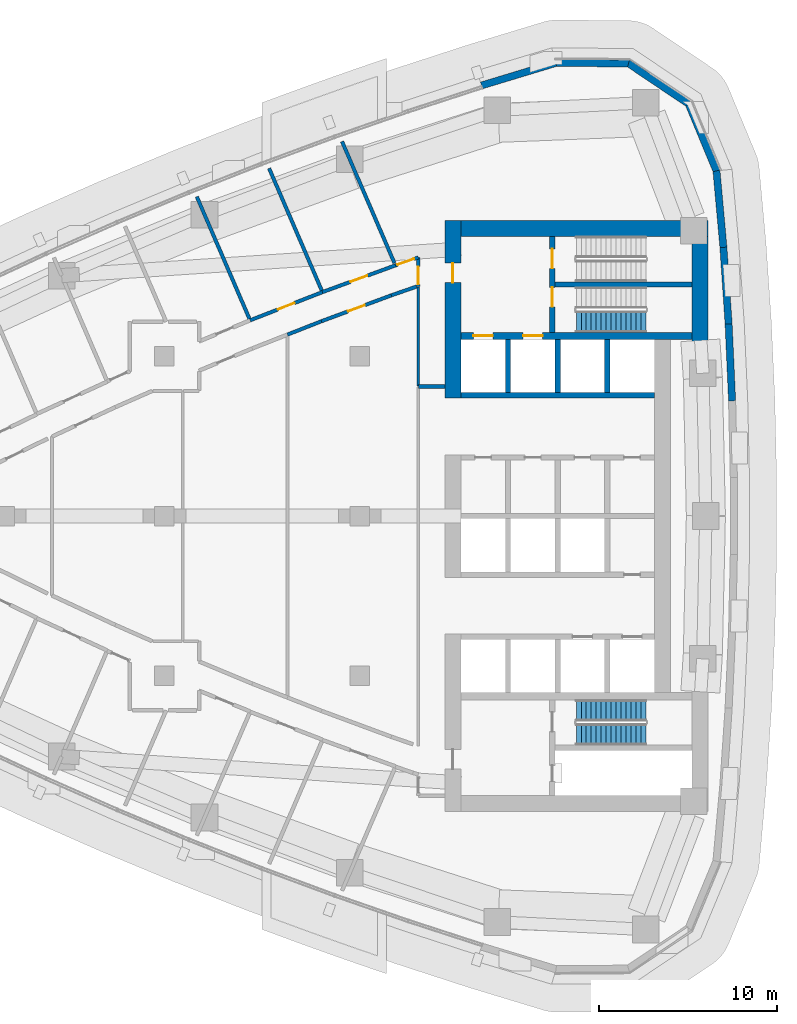
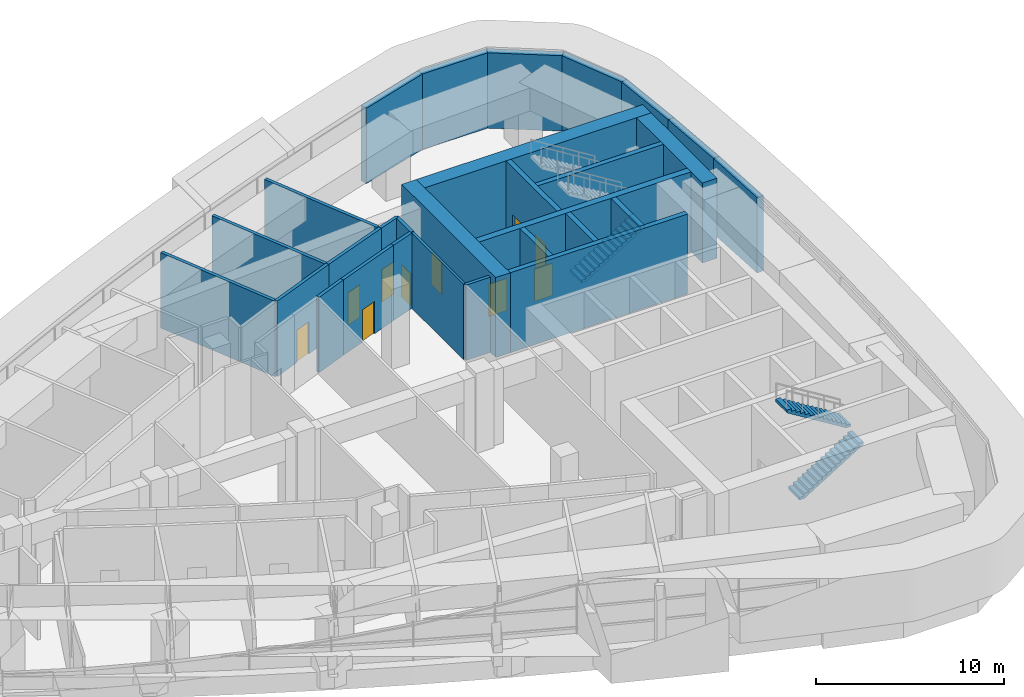
# One storey, part 13 of 18: 29 walls, 10 doors, 3 stair flights, 10 openings, 2 elements without a shape of their own.
"""IFC4 building model written with IfcOpenShell, lengths in metres."""

from ifc_helpers import new_model, si_unit, direction, frame, frame_2d, origin, place, context, subcontext, project, spatial, polyline, rectangle, outline, extrude, material, layer, layer_set, type_object, element, fill, aggregate, save


model = new_model("IFC4")

# Units and contexts
model_context = context("Model", 3, precision=1e-05, world=origin(), true_north=direction((0.0, 1.0)))
body_context = subcontext(model_context, "Body", "Model", "MODEL_VIEW")
ifc_project = project(units=[si_unit("LENGTHUNIT", "METRE"), si_unit("AREAUNIT", "SQUARE_METRE"), si_unit("VOLUMEUNIT", "CUBIC_METRE"), si_unit("PLANEANGLEUNIT", "RADIAN"), si_unit("MASSUNIT", "GRAM", prefix="KILO")], contexts=[model_context])

# Site, building, storey
site_placement = place(None, origin())
site = spatial("IfcSite", under=ifc_project, at=site_placement, CompositionType="ELEMENT")
building_placement = place(site_placement, origin())
building = spatial("IfcBuilding", under=site, at=building_placement, Name="Ostrand Prow Hotel Tower", CompositionType="ELEMENT")
storey_placement = place(building_placement, frame((0.0, 0.0, 165.699951171875)))
storey = spatial("IfcBuildingStorey", under=building, at=storey_placement, Name="L41", CompositionType="ELEMENT", Elevation=165.699951171875)

# Walls
ifc_material_1 = material(Name="Concrete C70/85", Category="concrete")
ifc_layer_1 = layer(ifc_material_1, 0.300048828125)
ifc_layer_set_1 = layer_set([ifc_layer_1], Name="Concrete C70/85")
wall_type_1 = type_object("IfcWallType", Name="Core wall 300 C70/85", PredefinedType="SHEAR", material=ifc_layer_set_1)
wall_1_placement = place(storey_placement, frame((50.699951171875, 6.800048828125, 0.0), z_axis=(0.0, 0.0, 1.0), x_axis=(1.0, 0.0, 0.0)))
element("IfcWall", 1, at=wall_1_placement, inside=storey, type_object=wall_type_1, Name="Core wall PW-L2-N", PredefinedType="SHEAR", context=body_context, shape_type="SweptSolid", body=[
    extrude(rectangle(XDim=10.900146484375, YDim=0.300048828125, at=frame_2d((5.4501953125, 0.0))), origin(), (0.0, 0.0, 1.0), 5.199951171875),
])
for number, where, z_axis, x_axis, name in (
    (2, (53.35009765625, 6.949951171875, 0.0), (0.0, 0.0, 1.0), (0.0, 1.0, 0.0), "Core wall PW-R1-NA"),
    (3, (56.14990234375, 6.949951171875, 0.0), (0.0, 0.0, 1.0), (0.0, 1.0, 0.0), "Core wall PW-R2-NA"),
    (4, (58.949951171875, 6.949951171875, 0.0), (0.0, 0.0, 1.0), (0.0, 1.0, 0.0), "Core wall PW-R3-NA"),
):
    element("IfcWall", number, at=place(storey_placement, frame(where, z_axis=z_axis, x_axis=x_axis)), inside=storey, type_object=wall_type_1, Name=name, PredefinedType="SHEAR", context=body_context, shape_type="SweptSolid", body=[
        extrude(rectangle(XDim=3.0, YDim=0.300048828125, at=frame_2d((1.5, 0.0))), origin(), (0.0, 0.0, 1.0), 5.199951171875),
    ])

# Wall, openings, doors
wall_2_placement = place(storey_placement, frame((55.85009765625, 10.35009765625, 0.0), z_axis=(0.0, 0.0, 1.0), x_axis=(0.0, 1.0, 0.0)))
wall_2 = element("IfcWall", 5, at=wall_2_placement, inside=storey, type_object=wall_type_1, Name="Core wall PW-VN", PredefinedType="SHEAR", context=body_context, shape_type="SweptSolid", body=[
    extrude(rectangle(XDim=5.39990234375, YDim=0.300048828125, at=frame_2d((2.699951171875, 0.0))), origin(), (0.0, 0.0, 1.0), 5.199951171875),
])
opening_1_placement = place(wall_2_placement, frame((1.429931640625, 0.0, 0.0)))
opening_1 = element("IfcOpeningElement", 6, at=opening_1_placement, cuts=wall_2, Name="Opening FD1", PredefinedType="OPENING", context=body_context, shape_type="SweptSolid", body=[
    extrude(rectangle(XDim=1.10009765625, YDim=2.10009765625, at=frame_2d((0.550048828125, 1.050048828125))), frame((0.0, 0.159912109375, 0.0), z_axis=(0.0, -1.0, 0.0), x_axis=(1.0, 0.0, 0.0)), (0.0, 0.0, 1.0), 0.320068359375),
])
opening_2_placement = place(wall_2_placement, frame((3.60009765625, 0.0, 0.0)))
opening_2 = element("IfcOpeningElement", 7, at=opening_2_placement, cuts=wall_2, Name="Opening FD1", PredefinedType="OPENING", context=body_context, shape_type="SweptSolid", body=[
    extrude(rectangle(XDim=1.10009765625, YDim=2.10009765625, at=frame_2d((0.550048828125, 1.050048828125))), frame((0.0, 0.159912109375, 0.0), z_axis=(0.0, -1.0, 0.0), x_axis=(1.0, 0.0, 0.0)), (0.0, 0.0, 1.0), 0.320068359375),
])
ifc_material_2 = material(Name="Steel fire door", Category="steel")
door_type_1 = type_object("IfcDoorType", Name="Fire door 1100 EI120", OperationType="SINGLE_SWING_RIGHT", PredefinedType="DOOR", material=ifc_material_2)
door_1_placement = place(opening_1_placement, origin())
door_1 = element("IfcDoor", 8, at=door_1_placement, inside=storey, type_object=door_type_1, Name="FIRE DOOR", OperationType="SINGLE_SWING_RIGHT", OverallHeight=2.10009765625, OverallWidth=1.10009765625, PredefinedType="DOOR", context=body_context, shape_type="SweptSolid", body=[
    extrude(rectangle(XDim=1.10009765625, YDim=2.10009765625, at=frame_2d((0.550048828125, 1.050048828125))), frame((0.0, 0.02490234375, 0.0), z_axis=(0.0, -1.0, 0.0), x_axis=(1.0, 0.0, 0.0)), (0.0, 0.0, 1.0), 0.050048828125),
])
fill(opening_1, door_1)
door_2_placement = place(opening_2_placement, origin())
door_2 = element("IfcDoor", 9, at=door_2_placement, inside=storey, type_object=door_type_1, Name="FIRE DOOR", OperationType="SINGLE_SWING_RIGHT", OverallHeight=2.10009765625, OverallWidth=1.10009765625, PredefinedType="DOOR", context=body_context, shape_type="SweptSolid", body=[
    extrude(rectangle(XDim=1.10009765625, YDim=2.10009765625, at=frame_2d((0.550048828125, 1.050048828125))), frame((0.0, 0.02490234375, 0.0), z_axis=(0.0, -1.0, 0.0), x_axis=(1.0, 0.0, 0.0)), (0.0, 0.0, 1.0), 0.050048828125),
])
fill(opening_2, door_2)

# Wall
wall_3_placement = place(storey_placement, frame((56.0, 13.050048828125, 0.0), z_axis=(0.0, 0.0, 1.0), x_axis=(1.0, 0.0, 0.0)))
element("IfcWall", 10, at=wall_3_placement, inside=storey, type_object=wall_type_1, Name="Core wall PW-ST13", PredefinedType="SHEAR", context=body_context, shape_type="SweptSolid", body=[
    extrude(rectangle(XDim=7.719970703125, YDim=0.300048828125, at=frame_2d((3.85986328125, 0.0))), origin(), (0.0, 0.0, 1.0), 5.199951171875),
])

# Wall, openings, doors
ifc_material_3 = material(Name="Concrete C70/85", Category="concrete")
ifc_layer_2 = layer(ifc_material_3, 0.39990234375)
ifc_layer_set_2 = layer_set([ifc_layer_2], Name="Concrete C70/85")
wall_type_2 = type_object("IfcWallType", Name="Core wall 400 C70/85", PredefinedType="SHEAR", material=ifc_layer_set_2)
wall_4_placement = place(storey_placement, frame((50.699951171875, 10.14990234375, 0.0), z_axis=(0.0, 0.0, 1.0), x_axis=(1.0, 0.0, 0.0)))
wall_4 = element("IfcWall", 11, at=wall_4_placement, inside=storey, type_object=wall_type_2, Name="Core wall PW-BN", PredefinedType="SHEAR", context=body_context, shape_type="SweptSolid", body=[
    extrude(rectangle(XDim=13.02001953125, YDim=0.39990234375, at=frame_2d((6.510009765625, 0.0))), origin(), (0.0, 0.0, 1.0), 5.199951171875),
])
opening_3_placement = place(wall_4_placement, frame((0.699951171875, 0.0, 0.0)))
opening_3 = element("IfcOpeningElement", 12, at=opening_3_placement, cuts=wall_4, Name="Opening LD", PredefinedType="OPENING", context=body_context, shape_type="SweptSolid", body=[
    extrude(rectangle(XDim=1.10009765625, YDim=2.10009765625, at=frame_2d((0.550048828125, 1.050048828125))), frame((0.0, 0.2099609375, 0.0), z_axis=(0.0, -1.0, 0.0), x_axis=(1.0, 0.0, 0.0)), (0.0, 0.0, 1.0), 0.419921875),
])
opening_4_placement = place(wall_4_placement, frame((3.5, 0.0, 0.0)))
opening_4 = element("IfcOpeningElement", 13, at=opening_4_placement, cuts=wall_4, Name="Opening LD", PredefinedType="OPENING", context=body_context, shape_type="SweptSolid", body=[
    extrude(rectangle(XDim=1.10009765625, YDim=2.10009765625, at=frame_2d((0.550048828125, 1.050048828125))), frame((0.0, 0.2099609375, 0.0), z_axis=(0.0, -1.0, 0.0), x_axis=(1.0, 0.0, 0.0)), (0.0, 0.0, 1.0), 0.419921875),
])
ifc_material_4 = material(Name="Stainless steel door", Category="steel")
door_type_2 = type_object("IfcDoorType", Name="Lift landing door 1100", OperationType="DOUBLE_DOOR_SLIDING", PredefinedType="DOOR", material=ifc_material_4)
door_3_placement = place(opening_3_placement, origin())
door_3 = element("IfcDoor", 14, at=door_3_placement, inside=storey, type_object=door_type_2, Name="LIFT LANDING DOOR", OperationType="DOUBLE_DOOR_SLIDING", OverallHeight=2.10009765625, OverallWidth=1.10009765625, PredefinedType="DOOR", context=body_context, shape_type="SweptSolid", body=[
    extrude(rectangle(XDim=1.10009765625, YDim=2.10009765625, at=frame_2d((0.550048828125, 1.050048828125))), frame((0.0, 0.02490234375, 0.0), z_axis=(0.0, -1.0, 0.0), x_axis=(1.0, 0.0, 0.0)), (0.0, 0.0, 1.0), 0.050048828125),
])
fill(opening_3, door_3)
door_4_placement = place(opening_4_placement, origin())
door_4 = element("IfcDoor", 15, at=door_4_placement, inside=storey, type_object=door_type_2, Name="LIFT LANDING DOOR", OperationType="DOUBLE_DOOR_SLIDING", OverallHeight=2.10009765625, OverallWidth=1.10009765625, PredefinedType="DOOR", context=body_context, shape_type="SweptSolid", body=[
    extrude(rectangle(XDim=1.10009765625, YDim=2.10009765625, at=frame_2d((0.550048828125, 1.050048828125))), frame((0.0, 0.02490234375, 0.0), z_axis=(0.0, -1.0, 0.0), x_axis=(1.0, 0.0, 0.0)), (0.0, 0.0, 1.0), 0.050048828125),
])
fill(opening_4, door_4)

# Wall, opening, door
ifc_material_5 = material(Name="Concrete C70/85", Category="concrete")
ifc_layer_3 = layer(ifc_material_5, 0.89990234375)
ifc_layer_set_3 = layer_set([ifc_layer_3], Name="Concrete C70/85")
wall_type_3 = type_object("IfcWallType", Name="Core wall 900 C70/85", PredefinedType="SHEAR", material=ifc_layer_set_3)
wall_5_placement = place(storey_placement, frame((50.25, 6.64990234375, 0.0), z_axis=(0.0, 0.0, 1.0), x_axis=(0.0, 1.0, 0.0)))
wall_5 = element("IfcWall", 16, at=wall_5_placement, inside=storey, type_object=wall_type_3, Name="Core wall CW-W-N", PredefinedType="SHEAR", context=body_context, shape_type="SweptSolid", body=[
    extrude(rectangle(XDim=10.0, YDim=0.89990234375, at=frame_2d((5.0, 0.0))), origin(), (0.0, 0.0, 1.0), 5.199951171875),
])
opening_5_placement = place(wall_5_placement, frame((6.5, 0.0, 0.0)))
opening_5 = element("IfcOpeningElement", 17, at=opening_5_placement, cuts=wall_5, Name="Opening FD1", PredefinedType="OPENING", context=body_context, shape_type="SweptSolid", body=[
    extrude(rectangle(XDim=1.10009765625, YDim=2.10009765625, at=frame_2d((0.550048828125, 1.050048828125))), frame((0.0, 0.4599609375, 0.0), z_axis=(0.0, -1.0, 0.0), x_axis=(1.0, 0.0, 0.0)), (0.0, 0.0, 1.0), 0.919921875),
])
door_5_placement = place(opening_5_placement, origin())
door_5 = element("IfcDoor", 18, at=door_5_placement, inside=storey, type_object=door_type_1, Name="FIRE DOOR", OperationType="SINGLE_SWING_RIGHT", OverallHeight=2.10009765625, OverallWidth=1.10009765625, PredefinedType="DOOR", context=body_context, shape_type="SweptSolid", body=[
    extrude(rectangle(XDim=1.10009765625, YDim=2.10009765625, at=frame_2d((0.550048828125, 1.050048828125))), frame((0.0, 0.02490234375, 0.0), z_axis=(0.0, -1.0, 0.0), x_axis=(1.0, 0.0, 0.0)), (0.0, 0.0, 1.0), 0.050048828125),
])
fill(opening_5, door_5)

# Walls
wall_6_placement = place(storey_placement, frame((50.699951171875, 16.199951171875, 0.0), z_axis=(0.0, 0.0, 1.0), x_axis=(1.0, 0.0, 0.0)))
element("IfcWall", 19, at=wall_6_placement, inside=storey, type_object=wall_type_3, Name="Core wall CW-N", PredefinedType="SHEAR", context=body_context, shape_type="SweptSolid", body=[
    extrude(rectangle(XDim=13.920166015625, YDim=0.89990234375, at=frame_2d((6.9599609375, 0.0))), origin(), (0.0, 0.0, 1.0), 5.199951171875),
])
wall_7_placement = place(storey_placement, frame((64.169921875, 8.74462890625, 0.0), z_axis=(0.0, 0.0, 1.0), x_axis=(0.0, 1.0, 0.0)))
element("IfcWall", 20, at=wall_7_placement, inside=storey, type_object=wall_type_3, Name="Core wall CW-E-N", PredefinedType="SHEAR", context=body_context, shape_type="SweptSolid", body=[
    extrude(rectangle(XDim=7.00537109375, YDim=0.89990234375, at=frame_2d((3.502685546875, 0.0))), origin(), (0.0, 0.0, 1.0), 5.199951171875),
])
ifc_material_6 = material(Name="Plasterboard partition")
ifc_layer_4 = layer(ifc_material_6, 0.14990234375)
ifc_layer_set_4 = layer_set([ifc_layer_4], Name="Plasterboard partition")
wall_type_4 = type_object("IfcWallType", Name="Partition 150 room partition", PredefinedType="PARTITIONING", material=ifc_layer_set_4)
wall_8_placement = place(storey_placement, frame((48.294921875, 12.890625, 0.0), z_axis=(0.0, 0.0, 1.0), x_axis=(0.0, -1.0, 0.0)))
element("IfcWall", 21, at=wall_8_placement, inside=storey, type_object=wall_type_4, Name="ROOM PARTITION", PredefinedType="PARTITIONING", context=body_context, shape_type="SweptSolid", body=[
    extrude(rectangle(XDim=5.551025390625, YDim=0.14990234375, at=frame_2d((2.775390625, 0.0))), origin(), (0.0, 0.0, 1.0), 4.900146484375),
])

# Wall, opening, door
ifc_material_7 = material(Name="Plasterboard partition")
ifc_layer_5 = layer(ifc_material_7, 0.199951171875)
ifc_layer_set_5 = layer_set([ifc_layer_5], Name="Plasterboard partition")
wall_type_5 = type_object("IfcWallType", Name="Partition 200 corridor wall", PredefinedType="PARTITIONING", material=ifc_layer_set_5)
wall_9_placement = place(storey_placement, frame((42.900390625, 12.617431640625, 0.0), z_axis=(0.0, 0.0, 1.0), x_axis=(-0.931636608363, -0.363391290426, 0.0)))
wall_9 = element("IfcWall", 22, at=wall_9_placement, inside=storey, type_object=wall_type_5, Name="CORRIDOR WALL", PredefinedType="PARTITIONING", context=body_context, shape_type="SweptSolid", body=[
    extrude(rectangle(XDim=4.375, YDim=0.199951171875, at=frame_2d((2.1875, 0.0))), origin(), (0.0, 0.0, 1.0), 4.900146484375),
])
opening_6_placement = place(wall_9_placement, frame((1.6875, 0.0, 0.0)))
opening_6 = element("IfcOpeningElement", 23, at=opening_6_placement, cuts=wall_9, Name="Opening D1R", PredefinedType="OPENING", context=body_context, shape_type="SweptSolid", body=[
    extrude(rectangle(XDim=1.0, YDim=2.10009765625, at=frame_2d((0.5, 1.050048828125))), frame((0.0, 0.10986328125, 0.0), z_axis=(0.0, -1.0, 0.0), x_axis=(1.0, 0.0, 0.0)), (0.0, 0.0, 1.0), 0.219970703125),
])
ifc_material_8 = material(Name="Timber door leaf", Category="wood")
door_type_3 = type_object("IfcDoorType", Name="Guest room door 1000 right", OperationType="SINGLE_SWING_RIGHT", PredefinedType="DOOR", material=ifc_material_8)
door_6_placement = place(opening_6_placement, origin())
door_6 = element("IfcDoor", 24, at=door_6_placement, inside=storey, type_object=door_type_3, Name="DOOR", OperationType="SINGLE_SWING_RIGHT", OverallHeight=2.10009765625, OverallWidth=1.0, PredefinedType="DOOR", context=body_context, shape_type="SweptSolid", body=[
    extrude(rectangle(XDim=1.0, YDim=2.10009765625, at=frame_2d((0.5, 1.050048828125))), frame((0.0, 0.02490234375, 0.0), z_axis=(0.0, -1.0, 0.0), x_axis=(1.0, 0.0, 0.0)), (0.0, 0.0, 1.0), 0.050048828125),
])
fill(opening_6, door_6)

wall_10_placement = place(storey_placement, frame((47.012451171875, 14.123779296875, 0.0), z_axis=(0.0, 0.0, 1.0), x_axis=(-0.938980181367, -0.343971247345, 0.0)))
wall_10 = element("IfcWall", 25, at=wall_10_placement, inside=storey, type_object=wall_type_5, Name="CORRIDOR WALL", PredefinedType="PARTITIONING", context=body_context, shape_type="SweptSolid", body=[
    extrude(rectangle(XDim=4.37939453125, YDim=0.199951171875, at=frame_2d((2.189697265625, 0.0))), origin(), (0.0, 0.0, 1.0), 4.900146484375),
])
opening_7_placement = place(wall_10_placement, frame((1.689697265625, 0.0, 0.0)))
opening_7 = element("IfcOpeningElement", 26, at=opening_7_placement, cuts=wall_10, Name="Opening D1", PredefinedType="OPENING", context=body_context, shape_type="SweptSolid", body=[
    extrude(rectangle(XDim=1.0, YDim=2.10009765625, at=frame_2d((0.5, 1.050048828125))), frame((0.0, 0.10986328125, 0.0), z_axis=(0.0, -1.0, 0.0), x_axis=(1.0, 0.0, 0.0)), (0.0, 0.0, 1.0), 0.219970703125),
])
ifc_material_9 = material(Name="Timber door leaf", Category="wood")
door_type_4 = type_object("IfcDoorType", Name="Guest room door 1000", OperationType="SINGLE_SWING_LEFT", PredefinedType="DOOR", material=ifc_material_9)
door_7_placement = place(opening_7_placement, origin())
door_7 = element("IfcDoor", 27, at=door_7_placement, inside=storey, type_object=door_type_4, Name="DOOR", OperationType="SINGLE_SWING_LEFT", OverallHeight=2.10009765625, OverallWidth=1.0, PredefinedType="DOOR", context=body_context, shape_type="SweptSolid", body=[
    extrude(rectangle(XDim=1.0, YDim=2.10009765625, at=frame_2d((0.5, 1.050048828125))), frame((0.0, 0.02490234375, 0.0), z_axis=(0.0, -1.0, 0.0), x_axis=(1.0, 0.0, 0.0)), (0.0, 0.0, 1.0), 0.050048828125),
])
fill(opening_7, door_7)

wall_11_placement = place(storey_placement, frame((48.300048828125, 14.5712890625, 0.0), z_axis=(0.0, 0.0, 1.0), x_axis=(-0.944576503382, -0.328291378593, 0.0)))
wall_11 = element("IfcWall", 28, at=wall_11_placement, inside=storey, type_object=wall_type_5, Name="CORRIDOR WALL", PredefinedType="PARTITIONING", context=body_context, shape_type="SweptSolid", body=[
    extrude(rectangle(XDim=1.363037109375, YDim=0.199951171875, at=frame_2d((0.681640625, 0.0))), origin(), (0.0, 0.0, 1.0), 4.900146484375),
])
opening_8_placement = place(wall_11_placement, frame((0.25, 0.0, 0.0)))
opening_8 = element("IfcOpeningElement", 29, at=opening_8_placement, cuts=wall_11, Name="Opening D1R", PredefinedType="OPENING", context=body_context, shape_type="SweptSolid", body=[
    extrude(rectangle(XDim=1.0, YDim=2.10009765625, at=frame_2d((0.5, 1.050048828125))), frame((0.0, 0.10986328125, 0.0), z_axis=(0.0, -1.0, 0.0), x_axis=(1.0, 0.0, 0.0)), (0.0, 0.0, 1.0), 0.219970703125),
])
door_8_placement = place(opening_8_placement, origin())
door_8 = element("IfcDoor", 30, at=door_8_placement, inside=storey, type_object=door_type_3, Name="DOOR", OperationType="SINGLE_SWING_RIGHT", OverallHeight=2.10009765625, OverallWidth=1.0, PredefinedType="DOOR", context=body_context, shape_type="SweptSolid", body=[
    extrude(rectangle(XDim=1.0, YDim=2.10009765625, at=frame_2d((0.5, 1.050048828125))), frame((0.0, 0.02490234375, 0.0), z_axis=(0.0, -1.0, 0.0), x_axis=(1.0, 0.0, 0.0)), (0.0, 0.0, 1.0), 0.050048828125),
])
fill(opening_8, door_8)

wall_12_placement = place(storey_placement, frame((42.84716796875, 10.976806640625, 0.0), z_axis=(0.0, 0.0, 1.0), x_axis=(0.937732614305, 0.347357948044, 0.0)))
wall_12 = element("IfcWall", 31, at=wall_12_placement, inside=storey, type_object=wall_type_5, Name="CORRIDOR WALL", PredefinedType="PARTITIONING", context=body_context, shape_type="SweptSolid", body=[
    extrude(rectangle(XDim=4.1953125, YDim=0.199951171875, at=frame_2d((2.09765625, 0.0))), origin(), (0.0, 0.0, 1.0), 4.900146484375),
])
opening_9_placement = place(wall_12_placement, frame((1.59765625, 0.0, 0.0)))
opening_9 = element("IfcOpeningElement", 32, at=opening_9_placement, cuts=wall_12, Name="Opening D1R", PredefinedType="OPENING", context=body_context, shape_type="SweptSolid", body=[
    extrude(rectangle(XDim=1.0, YDim=2.10009765625, at=frame_2d((0.5, 1.050048828125))), frame((0.0, 0.10986328125, 0.0), z_axis=(0.0, -1.0, 0.0), x_axis=(1.0, 0.0, 0.0)), (0.0, 0.0, 1.0), 0.219970703125),
])
door_9_placement = place(opening_9_placement, origin())
door_9 = element("IfcDoor", 33, at=door_9_placement, inside=storey, type_object=door_type_3, Name="DOOR", OperationType="SINGLE_SWING_RIGHT", OverallHeight=2.10009765625, OverallWidth=1.0, PredefinedType="DOOR", context=body_context, shape_type="SweptSolid", body=[
    extrude(rectangle(XDim=1.0, YDim=2.10009765625, at=frame_2d((0.5, 1.050048828125))), frame((0.0, 0.02490234375, 0.0), z_axis=(0.0, -1.0, 0.0), x_axis=(1.0, 0.0, 0.0)), (0.0, 0.0, 1.0), 0.050048828125),
])
fill(opening_9, door_9)

# Walls
wall_13_placement = place(storey_placement, frame((46.78125, 12.43408203125, 0.0), z_axis=(0.0, 0.0, 1.0), x_axis=(0.944557938653, 0.328344789097, 0.0)))
element("IfcWall", 34, at=wall_13_placement, inside=storey, type_object=wall_type_5, Name="CORRIDOR WALL", PredefinedType="PARTITIONING", context=body_context, shape_type="SweptSolid", body=[
    extrude(rectangle(XDim=1.5078125, YDim=0.199951171875, at=frame_2d((0.75390625, 0.0))), origin(), (0.0, 0.0, 1.0), 4.900146484375),
])
wall_14_placement = place(storey_placement, frame((40.928466796875, 10.221923828125, 0.0), z_axis=(0.0, 0.0, 1.0), x_axis=(0.930568597047, 0.366117585198, 0.0)))
element("IfcWall", 35, at=wall_14_placement, inside=storey, type_object=wall_type_5, Name="CORRIDOR WALL", PredefinedType="PARTITIONING", context=body_context, shape_type="SweptSolid", body=[
    extrude(rectangle(XDim=2.061767578125, YDim=0.199951171875, at=frame_2d((1.03076171875, 0.0))), origin(), (0.0, 0.0, 1.0), 4.900146484375),
])

# Wall, opening, door
wall_15_placement = place(storey_placement, frame((48.300048828125, 12.93017578125, 0.0), z_axis=(0.0, 0.0, 1.0), x_axis=(0.0, 1.0, 0.0)))
wall_15 = element("IfcWall", 36, at=wall_15_placement, inside=storey, type_object=wall_type_5, Name="CORRIDOR WALL", PredefinedType="PARTITIONING", context=body_context, shape_type="SweptSolid", body=[
    extrude(rectangle(XDim=1.64990234375, YDim=0.199951171875, at=frame_2d((0.824951171875, 0.0))), origin(), (0.0, 0.0, 1.0), 4.900146484375),
])
opening_10_placement = place(wall_15_placement, frame((0.125, 0.0, 0.0)))
opening_10 = element("IfcOpeningElement", 37, at=opening_10_placement, cuts=wall_15, Name="Opening D1", PredefinedType="OPENING", context=body_context, shape_type="SweptSolid", body=[
    extrude(rectangle(XDim=1.0, YDim=2.10009765625, at=frame_2d((0.5, 1.050048828125))), frame((0.0, 0.10986328125, 0.0), z_axis=(0.0, -1.0, 0.0), x_axis=(1.0, 0.0, 0.0)), (0.0, 0.0, 1.0), 0.219970703125),
])
door_10_placement = place(opening_10_placement, origin())
door_10 = element("IfcDoor", 38, at=door_10_placement, inside=storey, type_object=door_type_4, Name="DOOR", OperationType="SINGLE_SWING_LEFT", OverallHeight=2.10009765625, OverallWidth=1.0, PredefinedType="DOOR", context=body_context, shape_type="SweptSolid", body=[
    extrude(rectangle(XDim=1.0, YDim=2.10009765625, at=frame_2d((0.5, 1.050048828125))), frame((0.0, 0.02490234375, 0.0), z_axis=(0.0, -1.0, 0.0), x_axis=(1.0, 0.0, 0.0)), (0.0, 0.0, 1.0), 0.050048828125),
])
fill(opening_10, door_10)

# Walls
ifc_material_10 = material(Name="Plasterboard partition")
ifc_layer_6 = layer(ifc_material_10, 0.199951171875)
ifc_layer_set_6 = layer_set([ifc_layer_6], Name="Plasterboard partition")
wall_type_6 = type_object("IfcWallType", Name="Partition 200 key partition", PredefinedType="PARTITIONING", material=ifc_layer_set_6)
wall_16_placement = place(storey_placement, frame((38.832275390625, 11.00927734375, 0.0), z_axis=(0.0, 0.0, 1.0), x_axis=(-0.395987603644, 0.918255856371, 0.0)))
element("IfcWall", 39, at=wall_16_placement, inside=storey, type_object=wall_type_6, Name="KEY PARTITION", PredefinedType="PARTITIONING", context=body_context, shape_type="SweptSolid", body=[
    extrude(rectangle(XDim=7.603759765625, YDim=0.199951171875, at=frame_2d((3.8017578125, 0.0))), origin(), (0.0, 0.0, 1.0), 4.900146484375),
])
wall_17_placement = place(storey_placement, frame((42.908203125, 12.59912109375, 0.0), z_axis=(0.0, 0.0, 1.0), x_axis=(-0.395993528256, 0.918253301426, 0.0)))
element("IfcWall", 40, at=wall_17_placement, inside=storey, type_object=wall_type_6, Name="KEY PARTITION", PredefinedType="PARTITIONING", context=body_context, shape_type="SweptSolid", body=[
    extrude(rectangle(XDim=7.6103515625, YDim=0.199951171875, at=frame_2d((3.80517578125, 0.0))), origin(), (0.0, 0.0, 1.0), 4.900146484375),
])
wall_18_placement = place(storey_placement, frame((46.95703125, 14.252197265625, 0.0), z_axis=(0.0, 0.0, 1.0), x_axis=(-0.395995888251, 0.918252283682, 0.0)))
element("IfcWall", 41, at=wall_18_placement, inside=storey, type_object=wall_type_6, Name="KEY PARTITION", PredefinedType="PARTITIONING", context=body_context, shape_type="SweptSolid", body=[
    extrude(rectangle(XDim=7.4599609375, YDim=0.199951171875, at=frame_2d((3.72998046875, 0.0))), origin(), (0.0, 0.0, 1.0), 4.900146484375),
])
ifc_material_11 = material(Name="Plasterboard partition")
ifc_layer_7 = layer(ifc_material_11, 0.199951171875)
ifc_layer_set_7 = layer_set([ifc_layer_7], Name="Plasterboard partition")
wall_type_7 = type_object("IfcWallType", Name="Partition 200 refuge wall", PredefinedType="PARTITIONING", material=ifc_layer_set_7)
wall_19_placement = place(storey_placement, frame((48.300048828125, 7.300048828125, 0.0), z_axis=(0.0, 0.0, 1.0), x_axis=(1.0, 0.0, 0.0)))
element("IfcWall", 42, at=wall_19_placement, inside=storey, type_object=wall_type_7, Name="REFUGE WALL", PredefinedType="PARTITIONING", context=body_context, shape_type="SweptSolid", body=[
    extrude(rectangle(XDim=1.5, YDim=0.199951171875, at=frame_2d((0.75, 0.0))), origin(), (0.0, 0.0, 1.0), 4.900146484375),
])
ifc_material_12 = material(Name="Precast concrete C40/50", Category="concrete")
ifc_layer_8 = layer(ifc_material_12, 0.39990234375)
ifc_layer_set_8 = layer_set([ifc_layer_8], Name="Precast concrete C40/50")
wall_type_8 = type_object("IfcWallType", Name="Stone-faced precast wall 400 mm", PredefinedType="NOTDEFINED", material=ifc_layer_set_8)
for number, where, z_axis, x_axis, name in (
    (43, (65.977783203125, 6.4921875, 0.0), (0.0, 0.0, 1.0), (-0.045228592312, 0.99897666361, 0.0), "Stone-faced wall back 11"),
    (44, (65.781982421875, 10.81689453125, 0.0), (0.0, 0.0, 1.0), (-0.067731727279, 0.997703569764, 0.0), "Stone-faced wall back 12"),
):
    element("IfcWall", number, at=place(storey_placement, frame(where, z_axis=z_axis, x_axis=x_axis)), inside=storey, type_object=wall_type_8, Name=name, PredefinedType="NOTDEFINED", context=body_context, shape_type="SweptSolid", body=[
        extrude(outline(polyline([(-0.002197265625, -0.199951171875), (4.331298828125, -0.199951171875), (4.326904296875, 0.199951171875), (0.002197265625, 0.199951171875), (-0.002197265625, -0.199951171875)])), origin(), (0.0, 0.0, 1.0), 4.900146484375),
    ])
wall_20_placement = place(storey_placement, frame((65.48876953125, 15.135986328125, 0.0), z_axis=(0.0, 0.0, 1.0), x_axis=(-0.090296735989, 0.995914905737, 0.0)))
element("IfcWall", 45, at=wall_20_placement, inside=storey, type_object=wall_type_8, Name="Stone-faced wall back 13", PredefinedType="NOTDEFINED", context=body_context, shape_type="SweptSolid", body=[
    extrude(outline(polyline([(-0.002197265625, -0.199951171875), (4.359130859375, -0.199951171875), (4.298095703125, 0.199951171875), (0.002197265625, 0.199951171875), (-0.002197265625, -0.199951171875)])), origin(), (0.0, 0.0, 1.0), 4.900146484375),
])
wall_21_placement = place(storey_placement, frame((65.097900390625, 19.447021484375, 0.0), z_axis=(0.0, 0.0, 1.0), x_axis=(-0.383817293519, 0.923409056267, 0.0)))
element("IfcWall", 46, at=wall_21_placement, inside=storey, type_object=wall_type_8, Name="Stone-faced wall back 14", PredefinedType="NOTDEFINED", context=body_context, shape_type="SweptSolid", body=[
    extrude(outline(polyline([(-0.030517578125, -0.199951171875), (4.14453125, -0.199951171875), (4.02392578125, 0.199951171875), (0.030517578125, 0.199951171875), (-0.030517578125, -0.199951171875)])), origin(), (0.0, 0.0, 1.0), 4.900146484375),
])
wall_22_placement = place(storey_placement, frame((63.5302734375, 23.218505859375, 0.0), z_axis=(0.0, 0.0, 1.0), x_axis=(-0.829642062482, 0.558295663749, 0.0)))
element("IfcWall", 47, at=wall_22_placement, inside=storey, type_object=wall_type_8, Name="Stone-faced wall back 15", PredefinedType="NOTDEFINED", context=body_context, shape_type="SweptSolid", body=[
    extrude(outline(polyline([(-0.060302734375, -0.199951171875), (4.144287109375, -0.199951171875), (4.023681640625, 0.199951171875), (0.060302734375, 0.199951171875), (-0.060302734375, -0.199951171875)])), origin(), (0.0, 0.0, 1.0), 4.900146484375),
])
wall_23_placement = place(storey_placement, frame((60.14208984375, 25.49853515625, 0.0), z_axis=(0.0, 0.0, 1.0), x_axis=(-0.99996933771, 0.007830941131, 0.0)))
element("IfcWall", 48, at=wall_23_placement, inside=storey, type_object=wall_type_8, Name="Stone-faced wall back 16", PredefinedType="NOTDEFINED", context=body_context, shape_type="SweptSolid", body=[
    extrude(outline(polyline([(-0.060302734375, -0.199951171875), (4.11474609375, -0.199951171875), (4.0537109375, 0.199951171875), (0.060302734375, 0.199951171875), (-0.060302734375, -0.199951171875)])), origin(), (0.0, 0.0, 1.0), 4.900146484375),
])
wall_24_placement = place(storey_placement, frame((56.05810546875, 25.530517578125, 0.0), z_axis=(0.0, 0.0, 1.0), x_axis=(-0.956964488344, -0.290205044837, 0.0)))
element("IfcWall", 49, at=wall_24_placement, inside=storey, type_object=wall_type_8, Name="Stone-faced wall back 17", PredefinedType="NOTDEFINED", context=body_context, shape_type="SweptSolid", body=[
    extrude(outline(polyline([(-0.030517578125, -0.199951171875), (4.387939453125, -0.199951171875), (4.387939453125, 0.199951171875), (0.030517578125, 0.199951171875), (-0.030517578125, -0.199951171875)])), origin(), (0.0, 0.0, 1.0), 4.900146484375),
])

# Stair, stair flight
ifc_material_13 = material(Name="Concrete C40/50", Category="concrete")
stair_type = type_object("IfcStairType", Name="Exit stair 1200 upper zone", PredefinedType="HALF_TURN_STAIR", material=ifc_material_13)
stair_1_placement = place(storey_placement, origin())
stair_1 = element("IfcStair", 50, at=stair_1_placement, inside=storey, type_object=stair_type, Name="L41 ST1C", PredefinedType="HALF_TURN_STAIR")
ifc_material_14 = material(Name="Concrete C40/50", Category="concrete")
stair_flight_type = type_object("IfcStairFlightType", Name="Stair flight 1200 concrete", PredefinedType="STRAIGHT", material=ifc_material_14)
stair_flight_1_placement = place(storey_placement, frame((57.199951171875, 10.949951171875, 0.0), z_axis=(0.0, 0.0, 1.0), x_axis=(1.0, 0.0, 0.0)))
stair_flight_1 = element("IfcStairFlight", 51, at=stair_flight_1_placement, type_object=stair_flight_type, Name="ST1C flight 1", NumberOfRisers=15, NumberOfTreads=14, PredefinedType="STRAIGHT", RiserHeight=0.173333333, TreadLength=0.28, context=body_context, shape_type="SweptSolid", body=[
    extrude(outline(polyline([(0.0, 0.0), (0.0, 0.17333984375), (0.280029296875, 0.17333984375), (0.280029296875, 0.3466796875), (0.56005859375, 0.3466796875), (0.56005859375, 0.52001953125), (0.840087890625, 0.52001953125), (0.840087890625, 0.693359375), (1.1201171875, 0.693359375), (1.1201171875, 0.86669921875), (1.39990234375, 0.86669921875), (1.39990234375, 1.0400390625), (1.679931640625, 1.0400390625), (1.679931640625, 1.21337890625), (1.9599609375, 1.21337890625), (1.9599609375, 1.38671875), (2.239990234375, 1.38671875), (2.239990234375, 1.56005859375), (2.52001953125, 1.56005859375), (2.52001953125, 1.7333984375), (2.800048828125, 1.7333984375), (2.800048828125, 1.90673828125), (3.080078125, 1.90673828125), (3.080078125, 2.080078125), (3.360107421875, 2.080078125), (3.360107421875, 2.25341796875), (3.639892578125, 2.25341796875), (3.639892578125, 2.4267578125), (3.919921875, 2.4267578125), (3.919921875, 2.60009765625), (3.919921875, 2.250244140625), (0.284912109375, 0.0), (0.0, 0.0)])), frame((0.0, 0.60009765625, 0.0), z_axis=(0.0, -1.0, 0.0), x_axis=(1.0, 0.0, 0.0)), (0.0, 0.0, 1.0), 1.199951171875),
])
aggregate(stair_1, [stair_flight_1])

# Stair, stair flights
stair_2_placement = place(storey_placement, origin())
stair_2 = element("IfcStair", 52, at=stair_2_placement, inside=storey, type_object=stair_type, Name="L41 ST2C", PredefinedType="HALF_TURN_STAIR")
stair_flight_2_placement = place(storey_placement, frame((57.199951171875, -12.300048828125, 0.0), z_axis=(0.0, 0.0, 1.0), x_axis=(1.0, 0.0, 0.0)))
stair_flight_2 = element("IfcStairFlight", 53, at=stair_flight_2_placement, type_object=stair_flight_type, Name="ST2C flight 1", NumberOfRisers=15, NumberOfTreads=14, PredefinedType="STRAIGHT", RiserHeight=0.173333333, TreadLength=0.28, context=body_context, shape_type="SweptSolid", body=[
    extrude(outline(polyline([(0.0, 0.0), (0.0, 0.17333984375), (0.280029296875, 0.17333984375), (0.280029296875, 0.3466796875), (0.56005859375, 0.3466796875), (0.56005859375, 0.52001953125), (0.840087890625, 0.52001953125), (0.840087890625, 0.693359375), (1.1201171875, 0.693359375), (1.1201171875, 0.86669921875), (1.39990234375, 0.86669921875), (1.39990234375, 1.0400390625), (1.679931640625, 1.0400390625), (1.679931640625, 1.21337890625), (1.9599609375, 1.21337890625), (1.9599609375, 1.38671875), (2.239990234375, 1.38671875), (2.239990234375, 1.56005859375), (2.52001953125, 1.56005859375), (2.52001953125, 1.7333984375), (2.800048828125, 1.7333984375), (2.800048828125, 1.90673828125), (3.080078125, 1.90673828125), (3.080078125, 2.080078125), (3.360107421875, 2.080078125), (3.360107421875, 2.25341796875), (3.639892578125, 2.25341796875), (3.639892578125, 2.4267578125), (3.919921875, 2.4267578125), (3.919921875, 2.60009765625), (3.919921875, 2.250244140625), (0.284912109375, 0.0), (0.0, 0.0)])), frame((0.0, 0.60009765625, 0.0), z_axis=(0.0, -1.0, 0.0), x_axis=(1.0, 0.0, 0.0)), (0.0, 0.0, 1.0), 1.199951171875),
])
stair_flight_3_placement = place(storey_placement, frame((61.1201171875, -10.949951171875, 2.60009765625), z_axis=(0.0, 0.0, 1.0), x_axis=(-1.0, 0.0, 0.0)))
stair_flight_3 = element("IfcStairFlight", 54, at=stair_flight_3_placement, type_object=stair_flight_type, Name="ST2C flight 2", NumberOfRisers=15, NumberOfTreads=14, PredefinedType="STRAIGHT", RiserHeight=0.173333333, TreadLength=0.28, context=body_context, shape_type="SweptSolid", body=[
    extrude(outline(polyline([(0.0, 0.0), (0.0, 0.17333984375), (0.280029296875, 0.17333984375), (0.280029296875, 0.3466796875), (0.56005859375, 0.3466796875), (0.56005859375, 0.52001953125), (0.840087890625, 0.52001953125), (0.840087890625, 0.693359375), (1.1201171875, 0.693359375), (1.1201171875, 0.86669921875), (1.39990234375, 0.86669921875), (1.39990234375, 1.0400390625), (1.679931640625, 1.0400390625), (1.679931640625, 1.21337890625), (1.9599609375, 1.21337890625), (1.9599609375, 1.38671875), (2.239990234375, 1.38671875), (2.239990234375, 1.56005859375), (2.52001953125, 1.56005859375), (2.52001953125, 1.7333984375), (2.800048828125, 1.7333984375), (2.800048828125, 1.90673828125), (3.080078125, 1.90673828125), (3.080078125, 2.080078125), (3.360107421875, 2.080078125), (3.360107421875, 2.25341796875), (3.639892578125, 2.25341796875), (3.639892578125, 2.4267578125), (3.919921875, 2.4267578125), (3.919921875, 2.60009765625), (3.919921875, 2.250244140625), (0.284912109375, 0.0), (0.0, 0.0)])), frame((0.0, 0.60009765625, 0.0), z_axis=(0.0, -1.0, 0.0), x_axis=(1.0, 0.0, 0.0)), (0.0, 0.0, 1.0), 1.199951171875),
])
aggregate(stair_2, [stair_flight_2, stair_flight_3])

save(model, "model.ifc")
